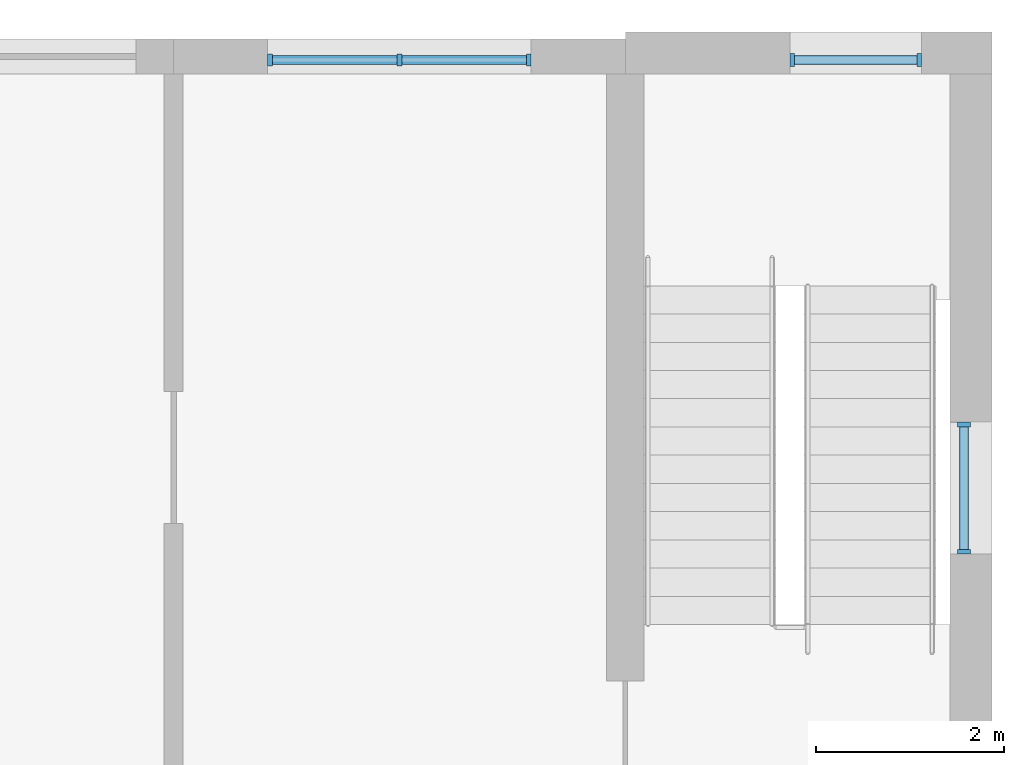
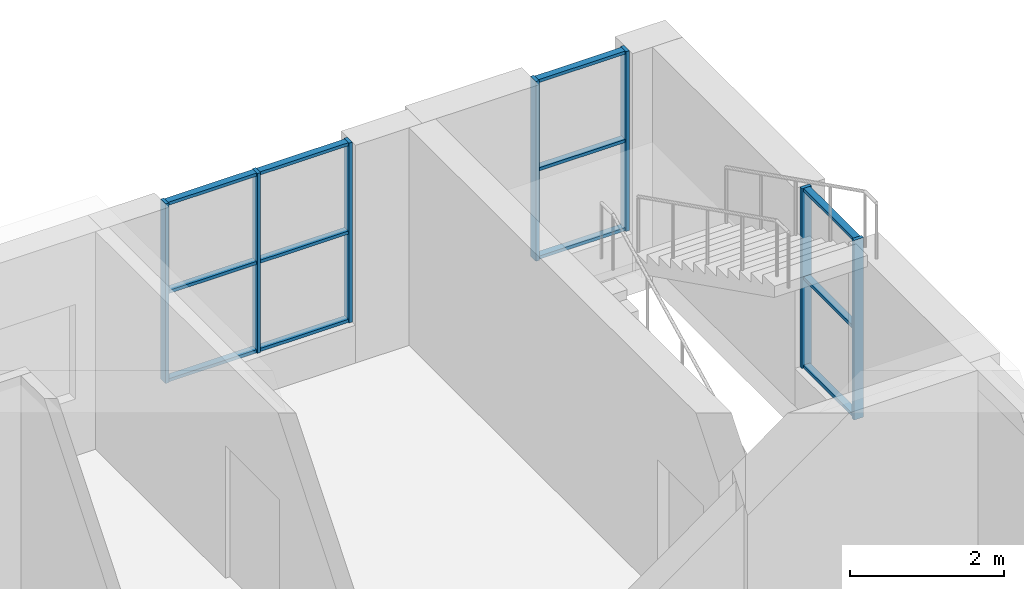
# One storey, part 42 of 94: 19 members, 3 elements without a shape of their own.
"""IFC4 building model written with IfcOpenShell, lengths in metres."""

from ifc_helpers import new_model, si_unit, direction, frame, origin, origin_2d, place, context, subcontext, project, spatial, rectangle, extrude, material, material_profile, profile_set, type_object, element, aggregate, save


model = new_model("IFC4")

# Units and contexts
model_context = context("Model", 3, precision=1e-05, world=origin(), true_north=direction((0.0, 1.0)))
body_context = subcontext(model_context, "Body", "Model", "MODEL_VIEW")
ifc_project = project(units=[si_unit("LENGTHUNIT", "METRE"), si_unit("AREAUNIT", "SQUARE_METRE"), si_unit("VOLUMEUNIT", "CUBIC_METRE"), si_unit("PLANEANGLEUNIT", "RADIAN"), si_unit("MASSUNIT", "GRAM", prefix="KILO")], contexts=[model_context])

# Site, building, storey
site_placement = place(None, origin())
site = spatial("IfcSite", under=ifc_project, at=site_placement, CompositionType="ELEMENT")
building_placement = place(site_placement, origin())
building = spatial("IfcBuilding", under=site, at=building_placement, Name="Yavir Park General Hospital", CompositionType="ELEMENT")
storey_placement = place(building_placement, frame((0.0, 0.0, 4.5)))
storey = spatial("IfcBuildingStorey", under=building, at=storey_placement, Name="L01", CompositionType="ELEMENT", Elevation=4.5)

# Curtain wall, members
ifc_material_1 = material(Name="Aluminium curtain wall frame with insulated glazing", Category="aluminium")
curtain_wall_type_1 = type_object("IfcCurtainWallType", Name="Clinical corridor end glazing, 2850 high, 1400 module", PredefinedType="NOTDEFINED", material=ifc_material_1)
curtain_wall_1_placement = place(storey_placement, origin())
curtain_wall_1 = element("IfcCurtainWall", 1, at=curtain_wall_1_placement, inside=storey, type_object=curtain_wall_type_1, Name="CW18 L01-013", PredefinedType="NOTDEFINED")
ifc_material_2 = material(Name="Aluminium", Category="aluminium")
ifc_material_profile_1 = material_profile(ifc_material_2, rectangle(XDim=0.1298828125, YDim=0.050048828125, at=origin_2d()), Name="AL 50x130")
ifc_profile_set_1 = profile_set([ifc_material_profile_1], Name="Aluminium")
member_type_1 = type_object("IfcMemberType", Name="Clinical corridor end glazing, 2850 high mullion 50 x 130", PredefinedType="MULLION", material=ifc_profile_set_1)
member_1_placement = place(storey_placement, frame((160.625, 117.60009765625, 0.60009765625), z_axis=(0.0, 0.0, 1.0), x_axis=(0.0, 1.0, 0.0)))
member_1 = element("IfcMember", 2, at=member_1_placement, type_object=member_type_1, Name="CW18 mullion 1", PredefinedType="MULLION", context=body_context, shape_type="SweptSolid", body=[
    extrude(rectangle(XDim=0.1298828125, YDim=0.050048828125, at=origin_2d()), origin(), (0.0, 0.0, 1.0), 2.849853515625),
])
member_2_placement = place(storey_placement, frame((162.0, 117.60009765625, 0.60009765625), z_axis=(0.0, 0.0, 1.0), x_axis=(0.0, 1.0, 0.0)))
member_2 = element("IfcMember", 3, at=member_2_placement, type_object=member_type_1, Name="CW18 mullion 2", PredefinedType="MULLION", context=body_context, shape_type="SweptSolid", body=[
    extrude(rectangle(XDim=0.1298828125, YDim=0.050048828125, at=origin_2d()), origin(), (0.0, 0.0, 1.0), 2.849853515625),
])
member_3_placement = place(storey_placement, frame((163.375, 117.60009765625, 0.60009765625), z_axis=(0.0, 0.0, 1.0), x_axis=(0.0, 1.0, 0.0)))
member_3 = element("IfcMember", 4, at=member_3_placement, type_object=member_type_1, Name="CW18 mullion 3", PredefinedType="MULLION", context=body_context, shape_type="SweptSolid", body=[
    extrude(rectangle(XDim=0.1298828125, YDim=0.050048828125, at=origin_2d()), origin(), (0.0, 0.0, 1.0), 2.849853515625),
])
ifc_material_3 = material(Name="Aluminium", Category="aluminium")
ifc_material_profile_2 = material_profile(ifc_material_3, rectangle(XDim=0.10009765625, YDim=0.050048828125, at=origin_2d()), Name="AL 100x50")
ifc_profile_set_2 = profile_set([ifc_material_profile_2], Name="Aluminium")
member_type_2 = type_object("IfcMemberType", Name="Clinical corridor end glazing, 2850 high transom 50 x 100", PredefinedType="MULLION", material=ifc_profile_set_2)
member_4_placement = place(storey_placement, frame((160.64990234375, 117.60009765625, 0.625), z_axis=(1.0, 0.0, 0.0), x_axis=(0.0, 1.0, 0.0)))
member_4 = element("IfcMember", 5, at=member_4_placement, type_object=member_type_2, Name="CW18 transom 1.1", PredefinedType="MULLION", context=body_context, shape_type="SweptSolid", body=[
    extrude(rectangle(XDim=0.10009765625, YDim=0.050048828125, at=origin_2d()), origin(), (0.0, 0.0, 1.0), 1.3251953125),
])
member_5_placement = place(storey_placement, frame((160.64990234375, 117.60009765625, 2.02490234375), z_axis=(1.0, 0.0, 0.0), x_axis=(0.0, 1.0, 0.0)))
member_5 = element("IfcMember", 6, at=member_5_placement, type_object=member_type_2, Name="CW18 transom 1.2", PredefinedType="MULLION", context=body_context, shape_type="SweptSolid", body=[
    extrude(rectangle(XDim=0.10009765625, YDim=0.050048828125, at=origin_2d()), origin(), (0.0, 0.0, 1.0), 1.3251953125),
])
member_6_placement = place(storey_placement, frame((160.64990234375, 117.60009765625, 3.425048828125), z_axis=(1.0, 0.0, 0.0), x_axis=(0.0, 1.0, 0.0)))
member_6 = element("IfcMember", 7, at=member_6_placement, type_object=member_type_2, Name="CW18 transom 1.3", PredefinedType="MULLION", context=body_context, shape_type="SweptSolid", body=[
    extrude(rectangle(XDim=0.10009765625, YDim=0.050048828125, at=origin_2d()), origin(), (0.0, 0.0, 1.0), 1.3251953125),
])
member_7_placement = place(storey_placement, frame((162.02490234375, 117.60009765625, 0.625), z_axis=(1.0, 0.0, 0.0), x_axis=(0.0, 1.0, 0.0)))
member_7 = element("IfcMember", 8, at=member_7_placement, type_object=member_type_2, Name="CW18 transom 2.1", PredefinedType="MULLION", context=body_context, shape_type="SweptSolid", body=[
    extrude(rectangle(XDim=0.10009765625, YDim=0.050048828125, at=origin_2d()), origin(), (0.0, 0.0, 1.0), 1.3251953125),
])
member_8_placement = place(storey_placement, frame((162.02490234375, 117.60009765625, 2.02490234375), z_axis=(1.0, 0.0, 0.0), x_axis=(0.0, 1.0, 0.0)))
member_8 = element("IfcMember", 9, at=member_8_placement, type_object=member_type_2, Name="CW18 transom 2.2", PredefinedType="MULLION", context=body_context, shape_type="SweptSolid", body=[
    extrude(rectangle(XDim=0.10009765625, YDim=0.050048828125, at=origin_2d()), origin(), (0.0, 0.0, 1.0), 1.3251953125),
])
member_9_placement = place(storey_placement, frame((162.02490234375, 117.60009765625, 3.425048828125), z_axis=(1.0, 0.0, 0.0), x_axis=(0.0, 1.0, 0.0)))
member_9 = element("IfcMember", 10, at=member_9_placement, type_object=member_type_2, Name="CW18 transom 2.3", PredefinedType="MULLION", context=body_context, shape_type="SweptSolid", body=[
    extrude(rectangle(XDim=0.10009765625, YDim=0.050048828125, at=origin_2d()), origin(), (0.0, 0.0, 1.0), 1.3251953125),
])
aggregate(curtain_wall_1, [member_1, member_2, member_3, member_4, member_5, member_6, member_7, member_8, member_9])

ifc_material_4 = material(Name="Aluminium curtain wall frame with insulated glazing", Category="aluminium")
curtain_wall_type_2 = type_object("IfcCurtainWallType", Name="Stair light slot, podium, 2850 high, 1400 module", PredefinedType="NOTDEFINED", material=ifc_material_4)
curtain_wall_2_placement = place(storey_placement, origin())
curtain_wall_2 = element("IfcCurtainWall", 11, at=curtain_wall_2_placement, inside=storey, type_object=curtain_wall_type_2, Name="CW9 L01-014", PredefinedType="NOTDEFINED")
ifc_material_5 = material(Name="Aluminium", Category="aluminium")
ifc_material_profile_3 = material_profile(ifc_material_5, rectangle(XDim=0.139892578125, YDim=0.050048828125, at=origin_2d()), Name="AL 50x140")
ifc_profile_set_3 = profile_set([ifc_material_profile_3], Name="Aluminium")
member_type_3 = type_object("IfcMemberType", Name="Stair light slot, podium, 2850 high mullion 50 x 140", PredefinedType="MULLION", material=ifc_profile_set_3)
member_10_placement = place(storey_placement, frame((166.175048828125, 117.60009765625, 0.60009765625), z_axis=(0.0, 0.0, 1.0), x_axis=(0.0, 1.0, 0.0)))
member_10 = element("IfcMember", 12, at=member_10_placement, type_object=member_type_3, Name="CW9 mullion 1", PredefinedType="MULLION", context=body_context, shape_type="SweptSolid", body=[
    extrude(rectangle(XDim=0.139892578125, YDim=0.050048828125, at=origin_2d()), origin(), (0.0, 0.0, 1.0), 2.849853515625),
])
member_11_placement = place(storey_placement, frame((167.52490234375, 117.60009765625, 0.60009765625), z_axis=(0.0, 0.0, 1.0), x_axis=(0.0, 1.0, 0.0)))
member_11 = element("IfcMember", 13, at=member_11_placement, type_object=member_type_3, Name="CW9 mullion 2", PredefinedType="MULLION", context=body_context, shape_type="SweptSolid", body=[
    extrude(rectangle(XDim=0.139892578125, YDim=0.050048828125, at=origin_2d()), origin(), (0.0, 0.0, 1.0), 2.849853515625),
])

curtain_wall_3_placement = place(storey_placement, origin())
curtain_wall_3 = element("IfcCurtainWall", 14, at=curtain_wall_3_placement, inside=storey, type_object=curtain_wall_type_2, Name="CW9 L01-033", PredefinedType="NOTDEFINED")
member_12_placement = place(storey_placement, frame((168.0, 112.375, 0.60009765625), z_axis=(0.0, 0.0, 1.0), x_axis=(-1.0, 0.0, 0.0)))
member_12 = element("IfcMember", 15, at=member_12_placement, type_object=member_type_3, Name="CW9 mullion 1", PredefinedType="MULLION", context=body_context, shape_type="SweptSolid", body=[
    extrude(rectangle(XDim=0.139892578125, YDim=0.050048828125, at=origin_2d()), origin(), (0.0, 0.0, 1.0), 2.849853515625),
])
member_13_placement = place(storey_placement, frame((168.0, 113.72509765625, 0.60009765625), z_axis=(0.0, 0.0, 1.0), x_axis=(-1.0, 0.0, 0.0)))
member_13 = element("IfcMember", 16, at=member_13_placement, type_object=member_type_3, Name="CW9 mullion 2", PredefinedType="MULLION", context=body_context, shape_type="SweptSolid", body=[
    extrude(rectangle(XDim=0.139892578125, YDim=0.050048828125, at=origin_2d()), origin(), (0.0, 0.0, 1.0), 2.849853515625),
])

# Member
ifc_material_6 = material(Name="Aluminium", Category="aluminium")
ifc_material_profile_4 = material_profile(ifc_material_6, rectangle(XDim=0.10009765625, YDim=0.050048828125, at=origin_2d()), Name="AL 100x50")
ifc_profile_set_4 = profile_set([ifc_material_profile_4], Name="Aluminium")
member_type_4 = type_object("IfcMemberType", Name="Stair light slot, podium, 2850 high transom 50 x 100", PredefinedType="MULLION", material=ifc_profile_set_4)
member_14_placement = place(storey_placement, frame((166.199951171875, 117.60009765625, 0.625), z_axis=(1.0, 0.0, 0.0), x_axis=(0.0, 1.0, 0.0)))
member_14 = element("IfcMember", 17, at=member_14_placement, type_object=member_type_4, Name="CW9 transom 1.1", PredefinedType="MULLION", context=body_context, shape_type="SweptSolid", body=[
    extrude(rectangle(XDim=0.10009765625, YDim=0.050048828125, at=origin_2d()), origin(), (0.0, 0.0, 1.0), 1.300048828125),
])

member_15_placement = place(storey_placement, frame((166.199951171875, 117.60009765625, 2.02490234375), z_axis=(1.0, 0.0, 0.0), x_axis=(0.0, 1.0, 0.0)))
member_15 = element("IfcMember", 18, at=member_15_placement, type_object=member_type_4, Name="CW9 transom 1.2", PredefinedType="MULLION", context=body_context, shape_type="SweptSolid", body=[
    extrude(rectangle(XDim=0.10009765625, YDim=0.050048828125, at=origin_2d()), origin(), (0.0, 0.0, 1.0), 1.300048828125),
])

member_16_placement = place(storey_placement, frame((166.199951171875, 117.60009765625, 3.425048828125), z_axis=(1.0, 0.0, 0.0), x_axis=(0.0, 1.0, 0.0)))
member_16 = element("IfcMember", 19, at=member_16_placement, type_object=member_type_4, Name="CW9 transom 1.3", PredefinedType="MULLION", context=body_context, shape_type="SweptSolid", body=[
    extrude(rectangle(XDim=0.10009765625, YDim=0.050048828125, at=origin_2d()), origin(), (0.0, 0.0, 1.0), 1.300048828125),
])

aggregate(curtain_wall_2, [member_10, member_11, member_14, member_15, member_16])

member_17_placement = place(storey_placement, frame((168.0, 112.39990234375, 0.625), z_axis=(0.0, 1.0, 0.0), x_axis=(-1.0, 0.0, 0.0)))
member_17 = element("IfcMember", 20, at=member_17_placement, type_object=member_type_4, Name="CW9 transom 1.1", PredefinedType="MULLION", context=body_context, shape_type="SweptSolid", body=[
    extrude(rectangle(XDim=0.10009765625, YDim=0.050048828125, at=origin_2d()), origin(), (0.0, 0.0, 1.0), 1.300048828125),
])

member_18_placement = place(storey_placement, frame((168.0, 112.39990234375, 2.02490234375), z_axis=(0.0, 1.0, 0.0), x_axis=(-1.0, 0.0, 0.0)))
member_18 = element("IfcMember", 21, at=member_18_placement, type_object=member_type_4, Name="CW9 transom 1.2", PredefinedType="MULLION", context=body_context, shape_type="SweptSolid", body=[
    extrude(rectangle(XDim=0.10009765625, YDim=0.050048828125, at=origin_2d()), origin(), (0.0, 0.0, 1.0), 1.300048828125),
])

member_19_placement = place(storey_placement, frame((168.0, 112.39990234375, 3.425048828125), z_axis=(0.0, 1.0, 0.0), x_axis=(-1.0, 0.0, 0.0)))
member_19 = element("IfcMember", 22, at=member_19_placement, type_object=member_type_4, Name="CW9 transom 1.3", PredefinedType="MULLION", context=body_context, shape_type="SweptSolid", body=[
    extrude(rectangle(XDim=0.10009765625, YDim=0.050048828125, at=origin_2d()), origin(), (0.0, 0.0, 1.0), 1.300048828125),
])

aggregate(curtain_wall_3, [member_12, member_13, member_17, member_18, member_19])

save(model, "model.ifc")
